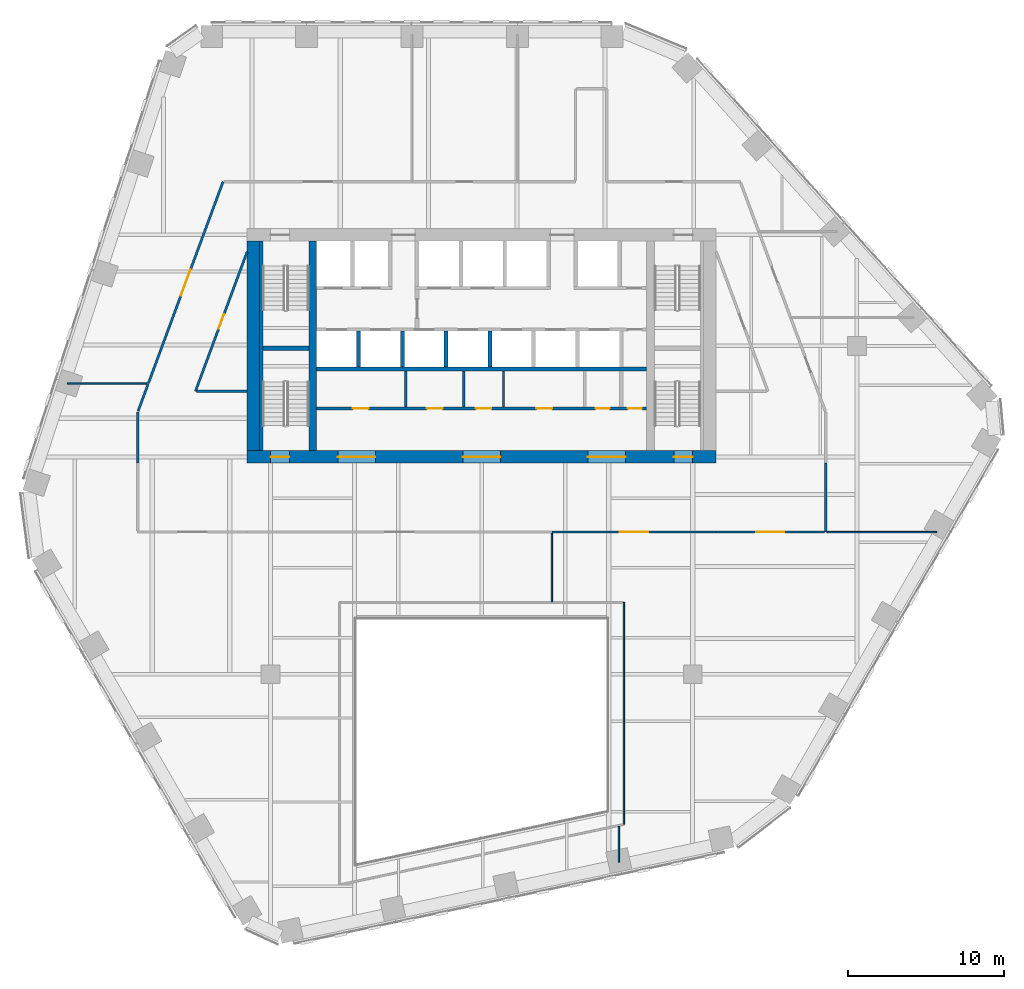
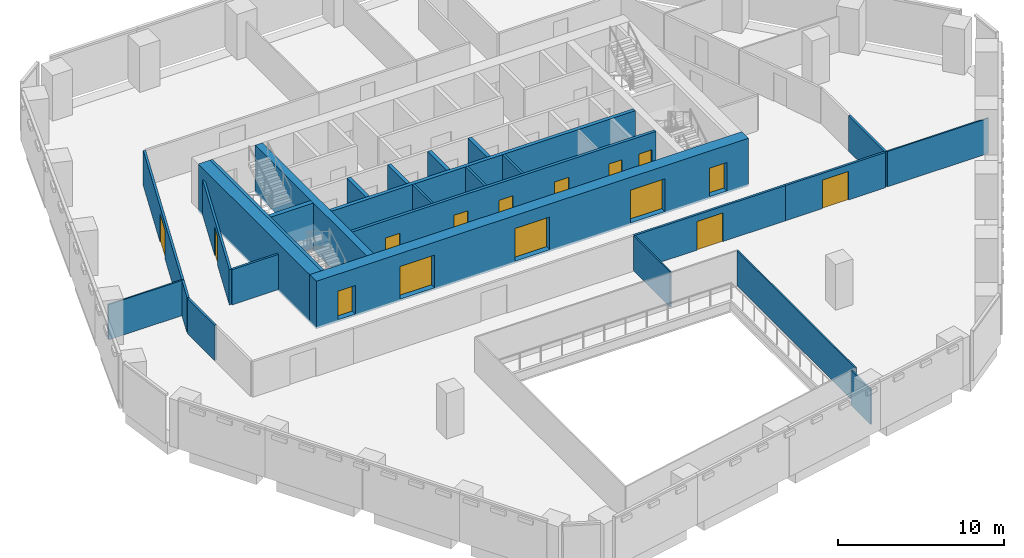
# One storey, part 11 of 17: 27 walls, 15 doors, 15 openings.
"""IFC4 building model written with IfcOpenShell, lengths in metres."""

from ifc_helpers import new_model, si_unit, direction, frame, frame_2d, origin, place, context, subcontext, project, spatial, rectangle, extrude, material, layer, layer_set, type_object, element, fill, save


model = new_model("IFC4")

# Units and contexts
model_context = context("Model", 3, precision=1e-05, world=origin(), true_north=direction((0.0, 1.0)))
body_context = subcontext(model_context, "Body", "Model", "MODEL_VIEW")
ifc_project = project(units=[si_unit("LENGTHUNIT", "METRE"), si_unit("AREAUNIT", "SQUARE_METRE"), si_unit("VOLUMEUNIT", "CUBIC_METRE"), si_unit("PLANEANGLEUNIT", "RADIAN"), si_unit("MASSUNIT", "GRAM", prefix="KILO")], contexts=[model_context])

# Site, building, storey
site_placement = place(None, origin())
site = spatial("IfcSite", under=ifc_project, at=site_placement, CompositionType="ELEMENT")
building_placement = place(site_placement, origin())
building = spatial("IfcBuilding", under=site, at=building_placement, Name="Isthmus Gate Tower", CompositionType="ELEMENT")
storey_placement = place(building_placement, frame((0.0, 0.0, 162.64990234375)))
storey = spatial("IfcBuildingStorey", under=building, at=storey_placement, Name="L40", CompositionType="ELEMENT", Elevation=162.64990234375)

# Wall
ifc_material_1 = material(Name="Fire-rated laminated glass in steel frame", Category="steel")
ifc_layer_1 = layer(ifc_material_1, 0.10009765625)
ifc_layer_set_1 = layer_set([ifc_layer_1], Name="ATRIUM SCREEN GLAZED WALL 100 120 MIN")
wall_type_1 = type_object("IfcWallType", Name="ATRIUM SCREEN GLAZED WALL 100 120 MIN", PredefinedType="PARTITIONING", material=ifc_layer_set_1)
wall_1_placement = place(storey_placement, frame((9.10009765625, -8.89990234375, 0.0), z_axis=(0.0, 0.0, 1.0), x_axis=(0.0, -1.0, 0.0)))
element("IfcWall", 1, at=wall_1_placement, inside=storey, type_object=wall_type_1, Name="L40 atrium screen", PredefinedType="PARTITIONING", context=body_context, shape_type="SweptSolid", body=[
    extrude(rectangle(XDim=14.200927734375, YDim=0.10009765625, at=frame_2d((7.1005859375, 0.0))), origin(), (0.0, 0.0, 1.0), 2.59130859375),
])

# Wall, opening, door
ifc_material_2 = material(Name="Gypsum board on steel studs, fire-rated", Category="steel")
ifc_layer_2 = layer(ifc_material_2, 0.14990234375)
ifc_layer_set_2 = layer_set([ifc_layer_2], Name="CORRIDOR WALL 150 60 MIN")
wall_type_2 = type_object("IfcWallType", Name="CORRIDOR WALL 150 60 MIN", PredefinedType="PARTITIONING", material=ifc_layer_set_2)
wall_2_placement = place(storey_placement, frame((15.0, -4.39990234375, 0.0), z_axis=(0.0, 0.0, 1.0), x_axis=(-1.0, 0.0, 0.0)))
wall_2 = element("IfcWall", 2, at=wall_2_placement, inside=storey, type_object=wall_type_2, Name="L40 Corridor Wall 150 60 Min", PredefinedType="PARTITIONING", context=body_context, shape_type="SweptSolid", body=[
    extrude(rectangle(XDim=10.5048828125, YDim=0.14990234375, at=frame_2d((5.25244140625, 0.0))), origin(), (0.0, 0.0, 1.0), 2.59130859375),
])
opening_1_placement = place(wall_2_placement, frame((4.3525390625, 0.0, 0.0)))
opening_1 = element("IfcOpeningElement", 3, at=opening_1_placement, cuts=wall_2, Name="Opening DT-T3D-11", PredefinedType="OPENING", context=body_context, shape_type="SweptSolid", body=[
    extrude(rectangle(XDim=1.800048828125, YDim=2.10009765625, at=frame_2d((0.89990234375, 1.050048828125))), frame((0.0, 0.0849609375, 0.0), z_axis=(0.0, -1.0, 0.0), x_axis=(1.0, 0.0, 0.0)), (0.0, 0.0, 1.0), 0.169921875),
])
ifc_material_3 = material(Name="Solid core timber door leaf, fire-rated", Category="wood")
door_type_1 = type_object("IfcDoorType", Name="FIRE DOOR ROOM 1800 X 2100 60 MIN", OperationType="DOUBLE_DOOR_DOUBLE_SWING", PredefinedType="DOOR", material=ifc_material_3)
door_1_placement = place(opening_1_placement, origin())
door_1 = element("IfcDoor", 4, at=door_1_placement, inside=storey, type_object=door_type_1, Name="L40 room door", OperationType="DOUBLE_DOOR_DOUBLE_SWING", OverallHeight=2.10009765625, OverallWidth=1.800048828125, PredefinedType="DOOR", context=body_context, shape_type="SweptSolid", body=[
    extrude(rectangle(XDim=1.800048828125, YDim=2.10009765625, at=frame_2d((0.89990234375, 1.050048828125))), frame((0.0, 0.02490234375, 0.0), z_axis=(0.0, -1.0, 0.0), x_axis=(1.0, 0.0, 0.0)), (0.0, 0.0, 1.0), 0.050048828125),
])
fill(opening_1, door_1)

# Wall
wall_3_placement = place(storey_placement, frame((22.0, 0.0, 0.0), z_axis=(0.0, 0.0, 1.0), x_axis=(0.0, -1.0, 0.0)))
element("IfcWall", 5, at=wall_3_placement, inside=storey, type_object=wall_type_2, Name="L40 Corridor Wall 150 60 Min", PredefinedType="PARTITIONING", context=body_context, shape_type="SweptSolid", body=[
    extrude(rectangle(XDim=4.39990234375, YDim=0.14990234375, at=frame_2d((2.199951171875, 0.0))), origin(), (0.0, 0.0, 1.0), 2.59130859375),
])

# Wall, opening, door
wall_4_placement = place(storey_placement, frame((21.925048828125, -4.39990234375, 0.0), z_axis=(0.0, 0.0, 1.0), x_axis=(-1.0, 0.0, 0.0)))
wall_4 = element("IfcWall", 6, at=wall_4_placement, inside=storey, type_object=wall_type_2, Name="L40 Corridor Wall 150 60 Min", PredefinedType="PARTITIONING", context=body_context, shape_type="SweptSolid", body=[
    extrude(rectangle(XDim=6.925048828125, YDim=0.14990234375, at=frame_2d((3.46240234375, 0.0))), origin(), (0.0, 0.0, 1.0), 2.59130859375),
])
opening_2_placement = place(wall_4_placement, frame((2.5625, 0.0, 0.0)))
opening_2 = element("IfcOpeningElement", 7, at=opening_2_placement, cuts=wall_4, Name="Opening DT-T3D-12", PredefinedType="OPENING", context=body_context, shape_type="SweptSolid", body=[
    extrude(rectangle(XDim=1.800048828125, YDim=2.10009765625, at=frame_2d((0.89990234375, 1.050048828125))), frame((0.0, 0.0849609375, 0.0), z_axis=(0.0, -1.0, 0.0), x_axis=(1.0, 0.0, 0.0)), (0.0, 0.0, 1.0), 0.169921875),
])
door_2_placement = place(opening_2_placement, origin())
door_2 = element("IfcDoor", 8, at=door_2_placement, inside=storey, type_object=door_type_1, Name="L40 room door", OperationType="DOUBLE_DOOR_DOUBLE_SWING", OverallHeight=2.10009765625, OverallWidth=1.800048828125, PredefinedType="DOOR", context=body_context, shape_type="SweptSolid", body=[
    extrude(rectangle(XDim=1.800048828125, YDim=2.10009765625, at=frame_2d((0.89990234375, 1.050048828125))), frame((0.0, 0.02490234375, 0.0), z_axis=(0.0, -1.0, 0.0), x_axis=(1.0, 0.0, 0.0)), (0.0, 0.0, 1.0), 0.050048828125),
])
fill(opening_2, door_2)

wall_5_placement = place(storey_placement, frame((-15.0, 13.531005859375, 0.0), z_axis=(0.0, 0.0, 1.0), x_axis=(-0.347347751601, -0.937736391241, 0.0)))
wall_5 = element("IfcWall", 9, at=wall_5_placement, inside=storey, type_object=wall_type_2, Name="L40 Corridor Wall 150 60 Min", PredefinedType="PARTITIONING", context=body_context, shape_type="SweptSolid", body=[
    extrude(rectangle(XDim=9.52392578125, YDim=0.14990234375, at=frame_2d((4.761962890625, 0.0))), origin(), (0.0, 0.0, 1.0), 2.59130859375),
])
opening_3_placement = place(wall_5_placement, frame((4.261962890625, 0.0, 0.0)))
opening_3 = element("IfcOpeningElement", 10, at=opening_3_placement, cuts=wall_5, Name="Opening DT-T3D-06", PredefinedType="OPENING", context=body_context, shape_type="SweptSolid", body=[
    extrude(rectangle(XDim=1.0, YDim=2.10009765625, at=frame_2d((0.5, 1.050048828125))), frame((0.0, 0.0849609375, 0.0), z_axis=(0.0, -1.0, 0.0), x_axis=(1.0, 0.0, 0.0)), (0.0, 0.0, 1.0), 0.169921875),
])
ifc_material_4 = material(Name="Solid core timber door leaf, fire-rated", Category="wood")
door_type_2 = type_object("IfcDoorType", Name="FIRE DOOR ROOM 1000 X 2100 60 MIN", OperationType="SINGLE_SWING_LEFT", PredefinedType="DOOR", material=ifc_material_4)
door_3_placement = place(opening_3_placement, origin())
door_3 = element("IfcDoor", 11, at=door_3_placement, inside=storey, type_object=door_type_2, Name="L40 room door", OperationType="SINGLE_SWING_RIGHT", OverallHeight=2.10009765625, OverallWidth=1.0, PredefinedType="DOOR", context=body_context, shape_type="SweptSolid", body=[
    extrude(rectangle(XDim=1.0, YDim=2.10009765625, at=frame_2d((0.5, 1.050048828125))), frame((0.0, 0.02490234375, 0.0), z_axis=(0.0, -1.0, 0.0), x_axis=(1.0, 0.0, 0.0)), (0.0, 0.0, 1.0), 0.050048828125),
])
fill(opening_3, door_3)

wall_6_placement = place(storey_placement, frame((-21.318115234375, 5.111083984375, 0.0), z_axis=(0.0, 0.0, 1.0), x_axis=(0.347346173898, 0.937736975638, 0.0)))
wall_6 = element("IfcWall", 12, at=wall_6_placement, inside=storey, type_object=wall_type_2, Name="L40 Corridor Wall 150 60 Min", PredefinedType="PARTITIONING", context=body_context, shape_type="SweptSolid", body=[
    extrude(rectangle(XDim=13.74462890625, YDim=0.14990234375, at=frame_2d((6.872314453125, 0.0))), origin(), (0.0, 0.0, 1.0), 2.59130859375),
])
opening_4_placement = place(wall_6_placement, frame((5.972412109375, 0.0, 0.0)))
opening_4 = element("IfcOpeningElement", 13, at=opening_4_placement, cuts=wall_6, Name="Opening DT-T3D-03", PredefinedType="OPENING", context=body_context, shape_type="SweptSolid", body=[
    extrude(rectangle(XDim=1.800048828125, YDim=2.10009765625, at=frame_2d((0.89990234375, 1.050048828125))), frame((0.0, 0.0849609375, 0.0), z_axis=(0.0, -1.0, 0.0), x_axis=(1.0, 0.0, 0.0)), (0.0, 0.0, 1.0), 0.169921875),
])
door_4_placement = place(opening_4_placement, origin())
door_4 = element("IfcDoor", 14, at=door_4_placement, inside=storey, type_object=door_type_1, Name="L40 room door", OperationType="DOUBLE_DOOR_DOUBLE_SWING", OverallHeight=2.10009765625, OverallWidth=1.800048828125, PredefinedType="DOOR", context=body_context, shape_type="SweptSolid", body=[
    extrude(rectangle(XDim=1.800048828125, YDim=2.10009765625, at=frame_2d((0.89990234375, 1.050048828125))), frame((0.0, 0.02490234375, 0.0), z_axis=(0.0, -1.0, 0.0), x_axis=(1.0, 0.0, 0.0)), (0.0, 0.0, 1.0), 0.050048828125),
])
fill(opening_4, door_4)

# Walls
wall_7_placement = place(storey_placement, frame((-18.22802734375, 4.60009765625, 0.0), z_axis=(0.0, 0.0, 1.0), x_axis=(1.0, 0.0, 0.0)))
element("IfcWall", 15, at=wall_7_placement, inside=storey, type_object=wall_type_2, Name="L40 Corridor Wall 150 60 Min", PredefinedType="PARTITIONING", context=body_context, shape_type="SweptSolid", body=[
    extrude(rectangle(XDim=3.22802734375, YDim=0.14990234375, at=frame_2d((1.614013671875, 0.0))), origin(), (0.0, 0.0, 1.0), 2.59130859375),
])
wall_8_placement = place(storey_placement, frame((-22.0, 0.0, 0.0), z_axis=(0.0, 0.0, 1.0), x_axis=(0.0, 1.0, 0.0)))
element("IfcWall", 16, at=wall_8_placement, inside=storey, type_object=wall_type_2, Name="L40 Corridor Wall 150 60 Min", PredefinedType="PARTITIONING", context=body_context, shape_type="SweptSolid", body=[
    extrude(rectangle(XDim=3.26904296875, YDim=0.14990234375, at=frame_2d((1.634521484375, 0.0))), origin(), (0.0, 0.0, 1.0), 2.59130859375),
])
wall_9_placement = place(storey_placement, frame((-21.97412109375, 3.33935546875, 0.0), z_axis=(0.0, 0.0, 1.0), x_axis=(0.347236538536, 0.93777757827, 0.0)))
element("IfcWall", 17, at=wall_9_placement, inside=storey, type_object=wall_type_2, Name="L40 Corridor Wall 150 60 Min", PredefinedType="PARTITIONING", context=body_context, shape_type="SweptSolid", body=[
    extrude(rectangle(XDim=1.83935546875, YDim=0.14990234375, at=frame_2d((0.919677734375, 0.0))), origin(), (0.0, 0.0, 1.0), 2.59130859375),
])
ifc_material_5 = material(Name="Concrete f'c 60 MPa", Category="concrete")
ifc_layer_3 = layer(ifc_material_5, 0.5)
ifc_layer_set_3 = layer_set([ifc_layer_3], Name="RC CORE SPINE WALL 500 F'C 60")
wall_type_3 = type_object("IfcWallType", Name="RC CORE SPINE WALL 500 F'C 60", PredefinedType="SOLIDWALL", material=ifc_layer_set_3)
wall_10_placement = place(storey_placement, frame((-10.800048828125, 0.800048828125, -0.14990234375), z_axis=(0.0, 0.0, 1.0), x_axis=(0.0, 1.0, 0.0)))
element("IfcWall", 18, at=wall_10_placement, inside=storey, type_object=wall_type_3, Name="str-corewall-L40-SPW", PredefinedType="SOLIDWALL", context=body_context, shape_type="SweptSolid", body=[
    extrude(rectangle(XDim=13.39990234375, YDim=0.5, at=frame_2d((6.699951171875, 0.0))), origin(), (0.0, 0.0, 1.0), 3.5),
])

# Wall, openings, doors
ifc_material_6 = material(Name="Concrete f'c 60 MPa", Category="concrete")
ifc_layer_4 = layer(ifc_material_6, 0.800048828125)
ifc_layer_set_4 = layer_set([ifc_layer_4], Name="RC CORE WALL 800 F'C 60")
wall_type_4 = type_object("IfcWallType", Name="RC CORE WALL 800 F'C 60", PredefinedType="SOLIDWALL", material=ifc_layer_set_4)
wall_11_placement = place(storey_placement, frame((-15.0, 0.39990234375, -0.14990234375), z_axis=(0.0, 0.0, 1.0), x_axis=(1.0, 0.0, 0.0)))
wall_11 = element("IfcWall", 19, at=wall_11_placement, inside=storey, type_object=wall_type_4, Name="str-corewall-L40-S", PredefinedType="SOLIDWALL", context=body_context, shape_type="SweptSolid", body=[
    extrude(rectangle(XDim=30.0, YDim=0.800048828125, at=frame_2d((15.0, 0.0))), origin(), (0.0, 0.0, 1.0), 3.5),
])
opening_5_placement = place(wall_11_placement, frame((5.800048828125, 0.0, 0.14990234375)))
opening_5 = element("IfcOpeningElement", 20, at=opening_5_placement, cuts=wall_11, Name="Opening DC-A11-10", PredefinedType="OPENING", context=body_context, shape_type="SweptSolid", body=[
    extrude(rectangle(XDim=2.39990234375, YDim=2.39990234375, at=frame_2d((1.199951171875, 1.199951171875))), frame((0.0, 0.409912109375, 0.0), z_axis=(0.0, -1.0, 0.0), x_axis=(1.0, 0.0, 0.0)), (0.0, 0.0, 1.0), 0.820068359375),
])
opening_6_placement = place(wall_11_placement, frame((13.800048828125, 0.0, 0.14990234375)))
opening_6 = element("IfcOpeningElement", 21, at=opening_6_placement, cuts=wall_11, Name="Opening DC-A11-11", PredefinedType="OPENING", context=body_context, shape_type="SweptSolid", body=[
    extrude(rectangle(XDim=2.39990234375, YDim=2.39990234375, at=frame_2d((1.199951171875, 1.199951171875))), frame((0.0, 0.409912109375, 0.0), z_axis=(0.0, -1.0, 0.0), x_axis=(1.0, 0.0, 0.0)), (0.0, 0.0, 1.0), 0.820068359375),
])
opening_7_placement = place(wall_11_placement, frame((21.800048828125, 0.0, 0.14990234375)))
opening_7 = element("IfcOpeningElement", 22, at=opening_7_placement, cuts=wall_11, Name="Opening DC-A11-12", PredefinedType="OPENING", context=body_context, shape_type="SweptSolid", body=[
    extrude(rectangle(XDim=2.39990234375, YDim=2.39990234375, at=frame_2d((1.199951171875, 1.199951171875))), frame((0.0, 0.409912109375, 0.0), z_axis=(0.0, -1.0, 0.0), x_axis=(1.0, 0.0, 0.0)), (0.0, 0.0, 1.0), 0.820068359375),
])
opening_8_placement = place(wall_11_placement, frame((1.5, 0.0, 0.14990234375)))
opening_8 = element("IfcOpeningElement", 23, at=opening_8_placement, cuts=wall_11, Name="Opening DC-A11-17", PredefinedType="OPENING", context=body_context, shape_type="SweptSolid", body=[
    extrude(rectangle(XDim=1.199951171875, YDim=2.10009765625, at=frame_2d((0.60009765625, 1.050048828125))), frame((0.0, 0.409912109375, 0.0), z_axis=(0.0, -1.0, 0.0), x_axis=(1.0, 0.0, 0.0)), (0.0, 0.0, 1.0), 0.820068359375),
])
opening_9_placement = place(wall_11_placement, frame((27.300048828125, 0.0, 0.14990234375)))
opening_9 = element("IfcOpeningElement", 24, at=opening_9_placement, cuts=wall_11, Name="Opening DC-A11-18", PredefinedType="OPENING", context=body_context, shape_type="SweptSolid", body=[
    extrude(rectangle(XDim=1.199951171875, YDim=2.10009765625, at=frame_2d((0.60009765625, 1.050048828125))), frame((0.0, 0.409912109375, 0.0), z_axis=(0.0, -1.0, 0.0), x_axis=(1.0, 0.0, 0.0)), (0.0, 0.0, 1.0), 0.820068359375),
])
ifc_material_7 = material(Name="Laminated safety glass in steel frame, fire-rated", Category="steel")
door_type_3 = type_object("IfcDoorType", Name="LOBBY ENTRANCE FIRE DOOR 2400 X 2400 60 MIN", OperationType="DOUBLE_DOOR_DOUBLE_SWING", PredefinedType="DOOR", material=ifc_material_7)
door_5_placement = place(opening_5_placement, origin())
door_5 = element("IfcDoor", 25, at=door_5_placement, inside=storey, type_object=door_type_3, Name="Lobby Entrance PS-W", OperationType="DOUBLE_DOOR_DOUBLE_SWING", OverallHeight=2.39990234375, OverallWidth=2.39990234375, PredefinedType="DOOR", context=body_context, shape_type="SweptSolid", body=[
    extrude(rectangle(XDim=2.39990234375, YDim=2.39990234375, at=frame_2d((1.199951171875, 1.199951171875))), frame((0.0, 0.02490234375, 0.0), z_axis=(0.0, -1.0, 0.0), x_axis=(1.0, 0.0, 0.0)), (0.0, 0.0, 1.0), 0.050048828125),
])
fill(opening_5, door_5)
door_6_placement = place(opening_6_placement, origin())
door_6 = element("IfcDoor", 26, at=door_6_placement, inside=storey, type_object=door_type_3, Name="Lobby Entrance PS-C", OperationType="DOUBLE_DOOR_DOUBLE_SWING", OverallHeight=2.39990234375, OverallWidth=2.39990234375, PredefinedType="DOOR", context=body_context, shape_type="SweptSolid", body=[
    extrude(rectangle(XDim=2.39990234375, YDim=2.39990234375, at=frame_2d((1.199951171875, 1.199951171875))), frame((0.0, 0.02490234375, 0.0), z_axis=(0.0, -1.0, 0.0), x_axis=(1.0, 0.0, 0.0)), (0.0, 0.0, 1.0), 0.050048828125),
])
fill(opening_6, door_6)
door_7_placement = place(opening_7_placement, origin())
door_7 = element("IfcDoor", 27, at=door_7_placement, inside=storey, type_object=door_type_3, Name="Lobby Entrance PS-E", OperationType="DOUBLE_DOOR_DOUBLE_SWING", OverallHeight=2.39990234375, OverallWidth=2.39990234375, PredefinedType="DOOR", context=body_context, shape_type="SweptSolid", body=[
    extrude(rectangle(XDim=2.39990234375, YDim=2.39990234375, at=frame_2d((1.199951171875, 1.199951171875))), frame((0.0, 0.02490234375, 0.0), z_axis=(0.0, -1.0, 0.0), x_axis=(1.0, 0.0, 0.0)), (0.0, 0.0, 1.0), 0.050048828125),
])
fill(opening_7, door_7)
ifc_material_8 = material(Name="Steel door leaf, fire-rated", Category="steel")
door_type_4 = type_object("IfcDoorType", Name="STAIR FIRE DOOR 1200 X 2100 90 MIN", OperationType="SINGLE_SWING_LEFT", PredefinedType="DOOR", material=ifc_material_8)
door_8_placement = place(opening_8_placement, origin())
door_8 = element("IfcDoor", 28, at=door_8_placement, inside=storey, type_object=door_type_4, Name="Exit Stair 7 Door", OperationType="SINGLE_SWING_LEFT", OverallHeight=2.10009765625, OverallWidth=1.199951171875, PredefinedType="DOOR", context=body_context, shape_type="SweptSolid", body=[
    extrude(rectangle(XDim=1.199951171875, YDim=2.10009765625, at=frame_2d((0.60009765625, 1.050048828125))), frame((0.0, 0.02490234375, 0.0), z_axis=(0.0, -1.0, 0.0), x_axis=(1.0, 0.0, 0.0)), (0.0, 0.0, 1.0), 0.050048828125),
])
fill(opening_8, door_8)
door_9_placement = place(opening_9_placement, origin())
door_9 = element("IfcDoor", 29, at=door_9_placement, inside=storey, type_object=door_type_4, Name="Exit Stair 8 Door", OperationType="SINGLE_SWING_RIGHT", OverallHeight=2.10009765625, OverallWidth=1.199951171875, PredefinedType="DOOR", context=body_context, shape_type="SweptSolid", body=[
    extrude(rectangle(XDim=1.199951171875, YDim=2.10009765625, at=frame_2d((0.60009765625, 1.050048828125))), frame((0.0, 0.02490234375, 0.0), z_axis=(0.0, -1.0, 0.0), x_axis=(1.0, 0.0, 0.0)), (0.0, 0.0, 1.0), 0.050048828125),
])
fill(opening_9, door_9)

# Walls
wall_12_placement = place(storey_placement, frame((-14.60009765625, 0.800048828125, -0.14990234375), z_axis=(0.0, 0.0, 1.0), x_axis=(0.0, 1.0, 0.0)))
element("IfcWall", 30, at=wall_12_placement, inside=storey, type_object=wall_type_4, Name="str-corewall-L40-W", PredefinedType="SOLIDWALL", context=body_context, shape_type="SweptSolid", body=[
    extrude(rectangle(XDim=13.39990234375, YDim=0.800048828125, at=frame_2d((6.699951171875, 0.0))), origin(), (0.0, 0.0, 1.0), 3.5),
])
ifc_material_9 = material(Name="Gypsum board on steel studs, fire-rated", Category="steel")
ifc_layer_5 = layer(ifc_material_9, 0.10009765625)
ifc_layer_set_5 = layer_set([ifc_layer_5], Name="ROOM PARTITION 100 30 MIN")
wall_type_5 = type_object("IfcWallType", Name="ROOM PARTITION 100 30 MIN", PredefinedType="PARTITIONING", material=ifc_layer_set_5)
wall_13_placement = place(storey_placement, frame((-26.506103515625, 5.111083984375, 0.0), z_axis=(0.0, 0.0, 1.0), x_axis=(1.0, 0.0, 0.0)))
element("IfcWall", 31, at=wall_13_placement, inside=storey, type_object=wall_type_5, Name="L40 Room Partition 100 30 Min", PredefinedType="PARTITIONING", context=body_context, shape_type="SweptSolid", body=[
    extrude(rectangle(XDim=5.113037109375, YDim=0.10009765625, at=frame_2d((2.556640625, 0.0))), origin(), (0.0, 0.0, 1.0), 2.59130859375),
])
wall_14_placement = place(storey_placement, frame((22.074951171875, -4.402099609375, 0.0), z_axis=(0.0, 0.0, 1.0), x_axis=(1.0, 0.0, 0.0)))
element("IfcWall", 32, at=wall_14_placement, inside=storey, type_object=wall_type_5, Name="L40 Room Partition 100 30 Min", PredefinedType="PARTITIONING", context=body_context, shape_type="SweptSolid", body=[
    extrude(rectangle(XDim=7.02197265625, YDim=0.10009765625, at=frame_2d((3.510986328125, 0.0))), origin(), (0.0, 0.0, 1.0), 2.59130859375),
])
wall_15_placement = place(storey_placement, frame((4.4951171875, -8.85009765625, 0.0), z_axis=(0.0, 0.0, 1.0), x_axis=(0.0, 1.0, 0.0)))
element("IfcWall", 33, at=wall_15_placement, inside=storey, type_object=wall_type_5, Name="L40 Room Partition 100 30 Min", PredefinedType="PARTITIONING", context=body_context, shape_type="SweptSolid", body=[
    extrude(rectangle(XDim=4.375, YDim=0.10009765625, at=frame_2d((2.1875, 0.0))), origin(), (0.0, 0.0, 1.0), 2.59130859375),
])
wall_16_placement = place(storey_placement, frame((8.77392578125, -25.52197265625, 0.0), z_axis=(0.0, 0.0, 1.0), x_axis=(0.0, 1.0, 0.0)))
element("IfcWall", 34, at=wall_16_placement, inside=storey, type_object=wall_type_5, Name="L40 Room Partition 100 30 Min", PredefinedType="PARTITIONING", context=body_context, shape_type="SweptSolid", body=[
    extrude(rectangle(XDim=2.301025390625, YDim=0.10009765625, at=frame_2d((1.150390625, 0.0))), origin(), (0.0, 0.0, 1.0), 2.59130859375),
])
ifc_material_10 = material(Name="Gypsum board on steel studs, fire-rated", Category="steel")
ifc_layer_6 = layer(ifc_material_10, 0.14990234375)
ifc_layer_set_6 = layer_set([ifc_layer_6], Name="ROOM PARTITION 150 60 MIN")
wall_type_6 = type_object("IfcWallType", Name="ROOM PARTITION 150 60 MIN", PredefinedType="PARTITIONING", material=ifc_layer_set_6)
for number, where, z_axis, x_axis, name in (
    (35, (-4.85009765625, 3.60009765625, 0.0), (0.0, 0.0, 1.0), (0.0, 1.0, 0.0), "L40 ROOM PARTITION 150 60 MIN"),
    (36, (-1.14990234375, 3.60009765625, 0.0), (0.0, 0.0, 1.0), (0.0, 1.0, 0.0), "L40 ROOM PARTITION 150 60 MIN"),
    (37, (1.39990234375, 3.60009765625, 0.0), (0.0, 0.0, 1.0), (0.0, 1.0, 0.0), "L40 ROOM PARTITION 150 60 MIN"),
):
    element("IfcWall", number, at=place(storey_placement, frame(where, z_axis=z_axis, x_axis=x_axis)), inside=storey, type_object=wall_type_6, Name=name, PredefinedType="PARTITIONING", context=body_context, shape_type="SweptSolid", body=[
        extrude(rectangle(XDim=2.2998046875, YDim=0.14990234375, at=frame_2d((1.14990234375, 0.0))), origin(), (0.0, 0.0, 1.0), 3.35009765625),
    ])

# Wall, openings, doors
ifc_material_11 = material(Name="Fire-rated blockwork masonry, 15 MPa", Category="masonry")
ifc_layer_7 = layer(ifc_material_11, 0.199951171875)
ifc_layer_set_7 = layer_set([ifc_layer_7], Name="SHAFT FRONT WALL 200 120 MIN")
wall_type_7 = type_object("IfcWallType", Name="SHAFT FRONT WALL 200 120 MIN", PredefinedType="PARTITIONING", material=ifc_layer_set_7)
wall_17_placement = place(storey_placement, frame((-10.550048828125, 3.5, 0.0), z_axis=(0.0, 0.0, 1.0), x_axis=(1.0, 0.0, 0.0)))
wall_17 = element("IfcWall", 38, at=wall_17_placement, inside=storey, type_object=wall_type_7, Name="L40 SHAFT FRONT WALL 200 120 MIN", PredefinedType="PARTITIONING", context=body_context, shape_type="SweptSolid", body=[
    extrude(rectangle(XDim=21.10009765625, YDim=0.199951171875, at=frame_2d((10.550048828125, 0.0))), origin(), (0.0, 0.0, 1.0), 3.35009765625),
])
opening_10_placement = place(wall_17_placement, frame((2.3125, 0.0, 0.0)))
opening_10 = element("IfcOpeningElement", 39, at=opening_10_placement, cuts=wall_17, Name="Opening DC-A11-02", PredefinedType="OPENING", context=body_context, shape_type="SweptSolid", body=[
    extrude(rectangle(XDim=1.0, YDim=2.10009765625, at=frame_2d((0.5, 1.050048828125))), frame((0.0, 0.10986328125, 0.0), z_axis=(0.0, -1.0, 0.0), x_axis=(1.0, 0.0, 0.0)), (0.0, 0.0, 1.0), 0.219970703125),
])
opening_11_placement = place(wall_17_placement, frame((7.050048828125, 0.0, 0.0)))
opening_11 = element("IfcOpeningElement", 40, at=opening_11_placement, cuts=wall_17, Name="Opening DC-A11-03", PredefinedType="OPENING", context=body_context, shape_type="SweptSolid", body=[
    extrude(rectangle(XDim=1.0, YDim=2.10009765625, at=frame_2d((0.5, 1.050048828125))), frame((0.0, 0.10986328125, 0.0), z_axis=(0.0, -1.0, 0.0), x_axis=(1.0, 0.0, 0.0)), (0.0, 0.0, 1.0), 0.219970703125),
])
opening_12_placement = place(wall_17_placement, frame((10.175048828125, 0.0, 0.0)))
opening_12 = element("IfcOpeningElement", 41, at=opening_12_placement, cuts=wall_17, Name="Opening DC-A11-04", PredefinedType="OPENING", context=body_context, shape_type="SweptSolid", body=[
    extrude(rectangle(XDim=1.0, YDim=2.10009765625, at=frame_2d((0.5, 1.050048828125))), frame((0.0, 0.10986328125, 0.0), z_axis=(0.0, -1.0, 0.0), x_axis=(1.0, 0.0, 0.0)), (0.0, 0.0, 1.0), 0.219970703125),
])
opening_13_placement = place(wall_17_placement, frame((14.050048828125, 0.0, 0.0)))
opening_13 = element("IfcOpeningElement", 42, at=opening_13_placement, cuts=wall_17, Name="Opening DC-A11-05", PredefinedType="OPENING", context=body_context, shape_type="SweptSolid", body=[
    extrude(rectangle(XDim=1.0, YDim=2.10009765625, at=frame_2d((0.5, 1.050048828125))), frame((0.0, 0.10986328125, 0.0), z_axis=(0.0, -1.0, 0.0), x_axis=(1.0, 0.0, 0.0)), (0.0, 0.0, 1.0), 0.219970703125),
])
opening_14_placement = place(wall_17_placement, frame((17.83740234375, 0.0, 0.0)))
opening_14 = element("IfcOpeningElement", 43, at=opening_14_placement, cuts=wall_17, Name="Opening DC-A11-06", PredefinedType="OPENING", context=body_context, shape_type="SweptSolid", body=[
    extrude(rectangle(XDim=0.89990234375, YDim=2.10009765625, at=frame_2d((0.449951171875, 1.050048828125))), frame((0.0, 0.10986328125, 0.0), z_axis=(0.0, -1.0, 0.0), x_axis=(1.0, 0.0, 0.0)), (0.0, 0.0, 1.0), 0.219970703125),
])
opening_15_placement = place(wall_17_placement, frame((19.89990234375, 0.0, 0.0)))
opening_15 = element("IfcOpeningElement", 44, at=opening_15_placement, cuts=wall_17, Name="Opening DC-A11-07", PredefinedType="OPENING", context=body_context, shape_type="SweptSolid", body=[
    extrude(rectangle(XDim=0.89990234375, YDim=2.10009765625, at=frame_2d((0.449951171875, 1.050048828125))), frame((0.0, 0.10986328125, 0.0), z_axis=(0.0, -1.0, 0.0), x_axis=(1.0, 0.0, 0.0)), (0.0, 0.0, 1.0), 0.219970703125),
])
ifc_material_12 = material(Name="Steel door leaf, fire-rated", Category="steel")
door_type_5 = type_object("IfcDoorType", Name="FIRE DOOR 1000 X 2100 60 MIN", OperationType="SINGLE_SWING_LEFT", PredefinedType="DOOR", material=ifc_material_12)
door_10_placement = place(opening_10_placement, origin())
door_10 = element("IfcDoor", 45, at=door_10_placement, inside=storey, type_object=door_type_5, Name="WC Women Door", OperationType="SINGLE_SWING_LEFT", OverallHeight=2.10009765625, OverallWidth=1.0, PredefinedType="DOOR", context=body_context, shape_type="SweptSolid", body=[
    extrude(rectangle(XDim=1.0, YDim=2.10009765625, at=frame_2d((0.5, 1.050048828125))), frame((0.0, 0.02490234375, 0.0), z_axis=(0.0, -1.0, 0.0), x_axis=(1.0, 0.0, 0.0)), (0.0, 0.0, 1.0), 0.050048828125),
])
fill(opening_10, door_10)
door_11_placement = place(opening_11_placement, origin())
door_11 = element("IfcDoor", 46, at=door_11_placement, inside=storey, type_object=door_type_5, Name="WC Men Door", OperationType="SINGLE_SWING_RIGHT", OverallHeight=2.10009765625, OverallWidth=1.0, PredefinedType="DOOR", context=body_context, shape_type="SweptSolid", body=[
    extrude(rectangle(XDim=1.0, YDim=2.10009765625, at=frame_2d((0.5, 1.050048828125))), frame((0.0, 0.02490234375, 0.0), z_axis=(0.0, -1.0, 0.0), x_axis=(1.0, 0.0, 0.0)), (0.0, 0.0, 1.0), 0.050048828125),
])
fill(opening_11, door_11)
door_12_placement = place(opening_12_placement, origin())
door_12 = element("IfcDoor", 47, at=door_12_placement, inside=storey, type_object=door_type_5, Name="Accessible WC Door", OperationType="SINGLE_SWING_LEFT", OverallHeight=2.10009765625, OverallWidth=1.0, PredefinedType="DOOR", context=body_context, shape_type="SweptSolid", body=[
    extrude(rectangle(XDim=1.0, YDim=2.10009765625, at=frame_2d((0.5, 1.050048828125))), frame((0.0, 0.02490234375, 0.0), z_axis=(0.0, -1.0, 0.0), x_axis=(1.0, 0.0, 0.0)), (0.0, 0.0, 1.0), 0.050048828125),
])
fill(opening_12, door_12)
door_13_placement = place(opening_13_placement, origin())
door_13 = element("IfcDoor", 48, at=door_13_placement, inside=storey, type_object=door_type_5, Name="Pantry Door", OperationType="SINGLE_SWING_RIGHT", OverallHeight=2.10009765625, OverallWidth=1.0, PredefinedType="DOOR", context=body_context, shape_type="SweptSolid", body=[
    extrude(rectangle(XDim=1.0, YDim=2.10009765625, at=frame_2d((0.5, 1.050048828125))), frame((0.0, 0.02490234375, 0.0), z_axis=(0.0, -1.0, 0.0), x_axis=(1.0, 0.0, 0.0)), (0.0, 0.0, 1.0), 0.050048828125),
])
fill(opening_13, door_13)
ifc_material_13 = material(Name="Steel door leaf, fire-rated", Category="steel")
door_type_6 = type_object("IfcDoorType", Name="FIRE DOOR 900 X 2100 60 MIN", OperationType="SINGLE_SWING_LEFT", PredefinedType="DOOR", material=ifc_material_13)
door_14_placement = place(opening_14_placement, origin())
door_14 = element("IfcDoor", 49, at=door_14_placement, inside=storey, type_object=door_type_6, Name="IT Room Door", OperationType="SINGLE_SWING_LEFT", OverallHeight=2.10009765625, OverallWidth=0.89990234375, PredefinedType="DOOR", context=body_context, shape_type="SweptSolid", body=[
    extrude(rectangle(XDim=0.89990234375, YDim=2.10009765625, at=frame_2d((0.449951171875, 1.050048828125))), frame((0.0, 0.02490234375, 0.0), z_axis=(0.0, -1.0, 0.0), x_axis=(1.0, 0.0, 0.0)), (0.0, 0.0, 1.0), 0.050048828125),
])
fill(opening_14, door_14)
ifc_material_14 = material(Name="Steel door leaf, fire-rated", Category="steel")
door_type_7 = type_object("IfcDoorType", Name="RISER FIRE DOOR 900 X 2100 90 MIN", OperationType="SINGLE_SWING_LEFT", PredefinedType="DOOR", material=ifc_material_14)
door_15_placement = place(opening_15_placement, origin())
door_15 = element("IfcDoor", 50, at=door_15_placement, inside=storey, type_object=door_type_7, Name="Riser Door", OperationType="SINGLE_SWING_RIGHT", OverallHeight=2.10009765625, OverallWidth=0.89990234375, PredefinedType="DOOR", context=body_context, shape_type="SweptSolid", body=[
    extrude(rectangle(XDim=0.89990234375, YDim=2.10009765625, at=frame_2d((0.449951171875, 1.050048828125))), frame((0.0, 0.02490234375, 0.0), z_axis=(0.0, -1.0, 0.0), x_axis=(1.0, 0.0, 0.0)), (0.0, 0.0, 1.0), 0.050048828125),
])
fill(opening_15, door_15)

# Walls
ifc_material_15 = material(Name="Fire-rated blockwork masonry, 15 MPa", Category="masonry")
ifc_layer_8 = layer(ifc_material_15, 0.25)
ifc_layer_set_8 = layer_set([ifc_layer_8], Name="SHAFT WALL 250 120 MIN")
wall_type_8 = type_object("IfcWallType", Name="SHAFT WALL 250 120 MIN", PredefinedType="PARTITIONING", material=ifc_layer_set_8)
wall_18_placement = place(storey_placement, frame((-10.550048828125, 6.02490234375, 0.0), z_axis=(0.0, 0.0, 1.0), x_axis=(1.0, 0.0, 0.0)))
element("IfcWall", 51, at=wall_18_placement, inside=storey, type_object=wall_type_8, Name="L40 SHAFT WALL 250 120 MIN", PredefinedType="PARTITIONING", context=body_context, shape_type="SweptSolid", body=[
    extrude(rectangle(XDim=21.10009765625, YDim=0.25, at=frame_2d((10.550048828125, 0.0))), origin(), (0.0, 0.0, 1.0), 3.35009765625),
])
for number, where, z_axis, x_axis, name in (
    (52, (-7.875, 6.14990234375, 0.0), (0.0, 0.0, 1.0), (0.0, 1.0, 0.0), "L40 SHAFT WALL 250 120 MIN"),
    (53, (-5.074951171875, 6.14990234375, 0.0), (0.0, 0.0, 1.0), (0.0, 1.0, 0.0), "L40 SHAFT WALL 250 120 MIN"),
    (54, (-2.27490234375, 6.14990234375, 0.0), (0.0, 0.0, 1.0), (0.0, 1.0, 0.0), "L40 SHAFT WALL 250 120 MIN"),
    (55, (0.52490234375, 6.14990234375, 0.0), (0.0, 0.0, 1.0), (0.0, 1.0, 0.0), "L40 SHAFT WALL 250 120 MIN"),
):
    element("IfcWall", number, at=place(storey_placement, frame(where, z_axis=z_axis, x_axis=x_axis)), inside=storey, type_object=wall_type_8, Name=name, PredefinedType="PARTITIONING", context=body_context, shape_type="SweptSolid", body=[
        extrude(rectangle(XDim=2.300048828125, YDim=0.25, at=frame_2d((1.14990234375, 0.0))), origin(), (0.0, 0.0, 1.0), 3.35009765625),
    ])
ifc_material_16 = material(Name="Concrete f'c 40 MPa", Category="concrete")
ifc_layer_9 = layer(ifc_material_16, 0.199951171875)
ifc_layer_set_9 = layer_set([ifc_layer_9], Name="STAIR ENCLOSURE WALL 200 180 MIN")
wall_type_9 = type_object("IfcWallType", Name="STAIR ENCLOSURE WALL 200 180 MIN", PredefinedType="SOLIDWALL", material=ifc_layer_set_9)
wall_19_placement = place(storey_placement, frame((-14.10009765625, 0.800048828125, 0.0), z_axis=(0.0, 0.0, 1.0), x_axis=(0.0, 1.0, 0.0)))
element("IfcWall", 56, at=wall_19_placement, inside=storey, type_object=wall_type_9, Name="L40 STAIR ENCLOSURE WALL 200 180 MIN", PredefinedType="SOLIDWALL", context=body_context, shape_type="SweptSolid", body=[
    extrude(rectangle(XDim=13.39990234375, YDim=0.199951171875, at=frame_2d((6.699951171875, 0.0))), origin(), (0.0, 0.0, 1.0), 3.35009765625),
])
ifc_material_17 = material(Name="Concrete f'c 40 MPa", Category="concrete")
ifc_layer_10 = layer(ifc_material_17, 0.300048828125)
ifc_layer_set_10 = layer_set([ifc_layer_10], Name="STAIR ENCLOSURE WALL 300 180 MIN")
wall_type_10 = type_object("IfcWallType", Name="STAIR ENCLOSURE WALL 300 180 MIN", PredefinedType="SOLIDWALL", material=ifc_layer_set_10)
wall_20_placement = place(storey_placement, frame((-14.0, 7.35009765625, 0.0), z_axis=(0.0, 0.0, 1.0), x_axis=(1.0, 0.0, 0.0)))
element("IfcWall", 57, at=wall_20_placement, inside=storey, type_object=wall_type_10, Name="L40 STAIR ENCLOSURE WALL 300 180 MIN", PredefinedType="SOLIDWALL", context=body_context, shape_type="SweptSolid", body=[
    extrude(rectangle(XDim=2.949951171875, YDim=0.300048828125, at=frame_2d((1.47509765625, 0.0))), origin(), (0.0, 0.0, 1.0), 3.35009765625),
])

save(model, "model.ifc")
